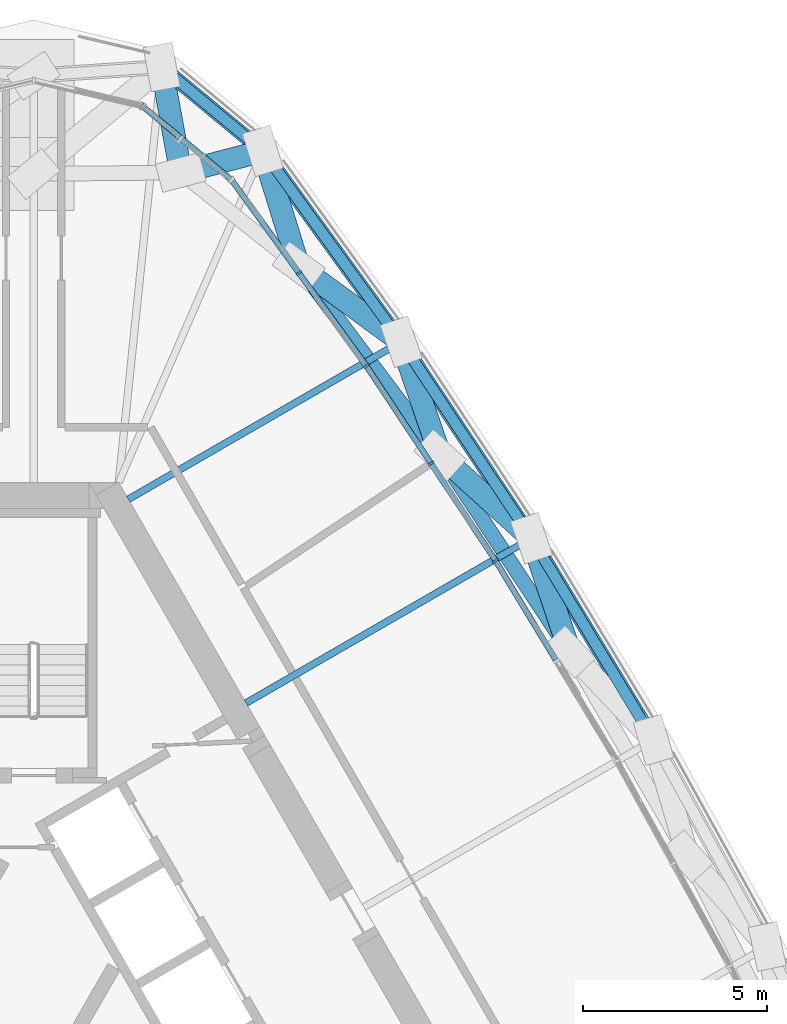
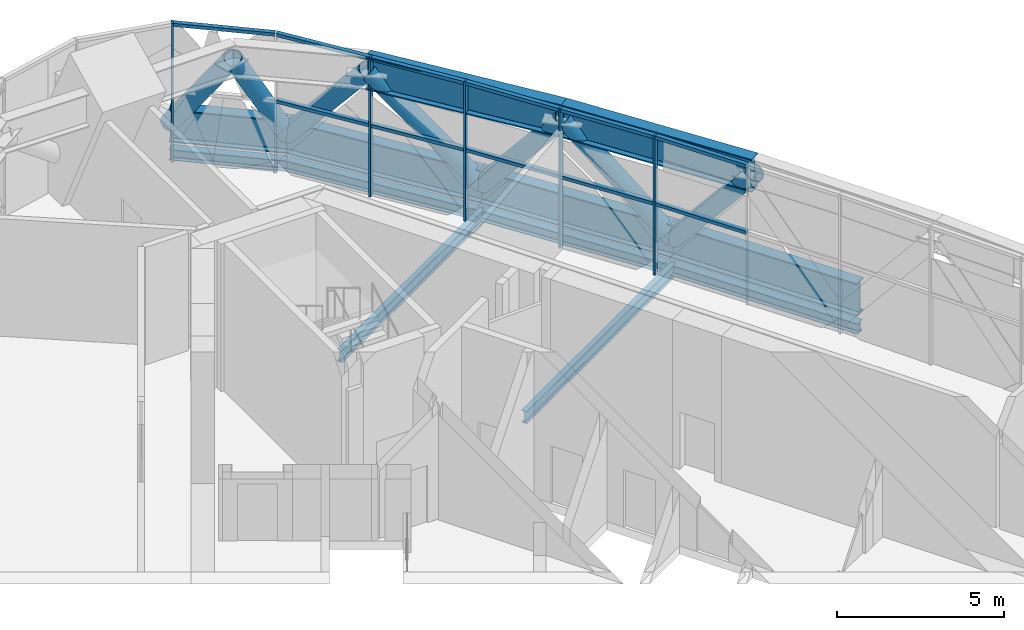
# One storey, part 8 of 33: 29 members, 6 beams, 2 elements without a shape of their own.
"""IFC4 building model written with IfcOpenShell, lengths in metres."""

from ifc_helpers import new_model, si_unit, direction, frame, origin, origin_2d, place, context, subcontext, project, spatial, rectangle, hollow_circle, i_section, extrude, material, material_profile, profile_set, type_object, element, aggregate, save


model = new_model("IFC4")

# Units and contexts
model_context = context("Model", 3, precision=1e-05, world=origin(), true_north=direction((0.0, 1.0)))
body_context = subcontext(model_context, "Body", "Model", "MODEL_VIEW")
ifc_project = project(units=[si_unit("LENGTHUNIT", "METRE"), si_unit("AREAUNIT", "SQUARE_METRE"), si_unit("VOLUMEUNIT", "CUBIC_METRE"), si_unit("PLANEANGLEUNIT", "RADIAN"), si_unit("MASSUNIT", "GRAM", prefix="KILO")], contexts=[model_context])

# Site, building, storey
site_placement = place(None, origin())
site = spatial("IfcSite", under=ifc_project, at=site_placement, CompositionType="ELEMENT")
building_placement = place(site_placement, origin())
building = spatial("IfcBuilding", under=site, at=building_placement, Name="Mestral Congress Tower", CompositionType="ELEMENT")
storey_placement = place(building_placement, frame((0.0, 0.0, 256.199951171875)))
storey = spatial("IfcBuildingStorey", under=building, at=storey_placement, Name="L60", CompositionType="ELEMENT", Elevation=256.199951171875)

# Members
ifc_material_1 = material(Name="Steel S355", Category="steel")
ifc_material_profile_1 = material_profile(ifc_material_1, i_section(OverallWidth=0.39990234375, OverallDepth=1.199951171875, WebThickness=0.02001953125, FlangeThickness=0.0400390625, FilletRadius=0.010009765625, at=origin_2d()), Name="WPG 1200")
ifc_profile_set_1 = profile_set([ifc_material_profile_1], Name="Steel S355")
member_type_1 = type_object("IfcMemberType", Name="Belt chord WPG 1200 S355", PredefinedType="CHORD", material=ifc_profile_set_1)
member_1_placement = place(storey_placement, frame((16.827392578125, 9.71533203125, 0.60009765625), z_axis=(-0.517874683363, 0.855456493535, 0.0), x_axis=(-0.855456493535, -0.517874683363, 0.0)))
element("IfcMember", 1, at=member_1_placement, inside=storey, type_object=member_type_1, Name="MB-L60-BC4-E03", PredefinedType="CHORD", context=body_context, shape_type="SweptSolid", body=[
    extrude(i_section(OverallWidth=0.39990234375, OverallDepth=1.199951171875, WebThickness=0.02001953125, FlangeThickness=0.0400390625, FilletRadius=0.010009765625, at=origin_2d()), origin(), (0.0, 0.0, 1.0), 6.399658203125),
])
for number, where, z_axis, x_axis, name in (
    (2, (13.51318359375, 15.18994140625, 0.60009765625), (-0.552911723663, 0.833239836923, 0.0), (-0.833239836923, -0.552911723663, 0.0), "MB-L60-BC4-E04"),
    (3, (9.974853515625, 20.522216796875, 0.60009765625), (-0.58698695142, 0.80959639257, 0.0), (-0.80959639257, -0.58698695142, 0.0), "MB-L60-BC4-E05"),
):
    element("IfcMember", number, at=place(storey_placement, frame(where, z_axis=z_axis, x_axis=x_axis)), inside=storey, type_object=member_type_1, Name=name, PredefinedType="CHORD", context=body_context, shape_type="SweptSolid", body=[
        extrude(i_section(OverallWidth=0.39990234375, OverallDepth=1.199951171875, WebThickness=0.02001953125, FlangeThickness=0.0400390625, FilletRadius=0.010009765625, at=origin_2d()), origin(), (0.0, 0.0, 1.0), 6.3994140625),
    ])
member_2_placement = place(storey_placement, frame((6.218505859375, 25.703125, 0.60009765625), z_axis=(-0.769974479924, 0.638074682358, 0.0), x_axis=(-0.638074682358, -0.769974479924, 0.0)))
element("IfcMember", 4, at=member_2_placement, inside=storey, type_object=member_type_1, Name="MB-L60-BC4-E06", PredefinedType="CHORD", context=body_context, shape_type="SweptSolid", body=[
    extrude(i_section(OverallWidth=0.39990234375, OverallDepth=1.199951171875, WebThickness=0.02001953125, FlangeThickness=0.0400390625, FilletRadius=0.010009765625, at=origin_2d()), origin(), (0.0, 0.0, 1.0), 3.56689453125),
])
for number, where, z_axis, x_axis, name in (
    (5, (14.55615234375, 12.098388671875, 4.5), (-0.550723144035, 0.834687976806, 0.0), (-0.834687976806, -0.550723144035, 0.0), "MB-L60-TC4-E03"),
    (6, (11.031982421875, 17.439697265625, 4.5), (-0.599566499574, 0.800324941876, 0.0), (-0.800324941876, -0.599566499574, 0.0), "MB-L60-TC4-E04"),
):
    element("IfcMember", number, at=place(storey_placement, frame(where, z_axis=z_axis, x_axis=x_axis)), inside=storey, type_object=member_type_1, Name=name, PredefinedType="CHORD", context=body_context, shape_type="SweptSolid", body=[
        extrude(i_section(OverallWidth=0.39990234375, OverallDepth=1.199951171875, WebThickness=0.02001953125, FlangeThickness=0.0400390625, FilletRadius=0.010009765625, at=origin_2d()), origin(), (0.0, 0.0, 1.0), 6.399169921875),
    ])
ifc_material_profile_2 = material_profile(ifc_material_1, hollow_circle(Radius=0.304931640625, WallThickness=0.02490234375, at=origin_2d()), Name="CHS 610x25")
ifc_profile_set_2 = profile_set([ifc_material_profile_2], Name="Steel S355")
member_type_2 = type_object("IfcMemberType", Name="Belt diagonal CHS 610x25 S355", PredefinedType="BRACE", material=ifc_profile_set_2)
member_3_placement = place(storey_placement, frame((13.51318359375, 15.18994140625, 0.60009765625), z_axis=(0.205116866424, -0.608004419365, 0.766979593693), x_axis=(0.947532230317, 0.319660245433, 0.0)))
element("IfcMember", 7, at=member_3_placement, inside=storey, type_object=member_type_2, Name="MD-L60-BD4-E04.E03", PredefinedType="BRACE", context=body_context, shape_type="SweptSolid", body=[
    extrude(hollow_circle(Radius=0.304931640625, WallThickness=0.02490234375, at=origin_2d()), origin(), (0.0, 0.0, 1.0), 5.084716796875),
])
member_4_placement = place(storey_placement, frame((13.51318359375, 15.18994140625, 0.60009765625), z_axis=(-0.482656382674, 0.437634415659, 0.75862964251), x_axis=(-0.671710761631, -0.740813507375, 0.0)))
element("IfcMember", 8, at=member_4_placement, inside=storey, type_object=member_type_2, Name="MD-L60-BD4-E04.E04", PredefinedType="BRACE", context=body_context, shape_type="SweptSolid", body=[
    extrude(hollow_circle(Radius=0.304931640625, WallThickness=0.02490234375, at=origin_2d()), origin(), (0.0, 0.0, 1.0), 5.140625),
])
member_5_placement = place(storey_placement, frame((9.974853515625, 20.522216796875, 0.60009765625), z_axis=(0.208006443312, -0.606533337935, 0.767366033595), x_axis=(0.945920988554, 0.324397107591, 0.0)))
element("IfcMember", 9, at=member_5_placement, inside=storey, type_object=member_type_2, Name="MD-L60-BD4-E05.E04", PredefinedType="BRACE", context=body_context, shape_type="SweptSolid", body=[
    extrude(hollow_circle(Radius=0.304931640625, WallThickness=0.02490234375, at=origin_2d()), origin(), (0.0, 0.0, 1.0), 5.082275390625),
])
member_6_placement = place(storey_placement, frame((9.974853515625, 20.522216796875, 0.60009765625), z_axis=(-0.534015202386, 0.391704958728, 0.749262963804), x_axis=(-0.591455772617, -0.806337441174, 0.0)))
element("IfcMember", 10, at=member_6_placement, inside=storey, type_object=member_type_2, Name="MD-L60-BD4-E05.E05", PredefinedType="BRACE", context=body_context, shape_type="SweptSolid", body=[
    extrude(hollow_circle(Radius=0.304931640625, WallThickness=0.02490234375, at=origin_2d()), origin(), (0.0, 0.0, 1.0), 5.205078125),
])
member_7_placement = place(storey_placement, frame((6.218505859375, 25.703125, 0.60009765625), z_axis=(0.191434622879, -0.615786952376, 0.764303090696), x_axis=(0.954919894336, 0.296863597299, 0.0)))
element("IfcMember", 11, at=member_7_placement, inside=storey, type_object=member_type_2, Name="MD-L60-BD4-E06.E05", PredefinedType="BRACE", context=body_context, shape_type="SweptSolid", body=[
    extrude(hollow_circle(Radius=0.304931640625, WallThickness=0.02490234375, at=origin_2d()), origin(), (0.0, 0.0, 1.0), 5.1025390625),
])
member_8_placement = place(storey_placement, frame((6.218505859375, 25.703125, 0.60009765625), z_axis=(-0.491384742681, -0.129612565438, 0.861244226419), x_axis=(0.255046808528, -0.966928707537, 0.0)))
element("IfcMember", 12, at=member_8_placement, inside=storey, type_object=member_type_2, Name="MD-L60-BD4-E06.N1", PredefinedType="BRACE", context=body_context, shape_type="SweptSolid", body=[
    extrude(hollow_circle(Radius=0.304931640625, WallThickness=0.02490234375, at=origin_2d()), origin(), (0.0, 0.0, 1.0), 4.5283203125),
])
member_9_placement = place(storey_placement, frame((3.47216796875, 27.97900390625, 0.60009765625), z_axis=(0.107122095193, -0.588343647882, 0.801484004031), x_axis=(0.983825580092, 0.179129081826, 0.0)))
element("IfcMember", 13, at=member_9_placement, inside=storey, type_object=member_type_2, Name="MD-L60-BD4-N1.N1", PredefinedType="BRACE", context=body_context, shape_type="SweptSolid", body=[
    extrude(hollow_circle(Radius=0.304931640625, WallThickness=0.02490234375, at=origin_2d()), origin(), (0.0, 0.0, 1.0), 4.865966796875),
])

# Curtain wall, members
ifc_material_2 = material(Name="Clear low-emissivity double glazing", Category="glass")
curtain_wall_type = type_object("IfcCurtainWallType", Name="Facade refuge band screen", PredefinedType="USERDEFINED", material=ifc_material_2)
placement = place(storey_placement, origin())
curtain_wall_1 = element("IfcCurtainWall", 14, at=placement, inside=storey, type_object=curtain_wall_type, Name="Facade refuge band screen face 2", ObjectType="CURTAIN WALL", PredefinedType="USERDEFINED")
ifc_material_3 = material(Name="Anodised aluminium", Category="aluminium")
ifc_material_profile_3 = material_profile(ifc_material_3, rectangle(XDim=0.179931640625, YDim=0.06005859375, at=origin_2d()), Name="CW3 mullion 180 x 60")
ifc_profile_set_3 = profile_set([ifc_material_profile_3], Name="Anodised aluminium")
member_type_3 = type_object("IfcMemberType", Name="Facade refuge band screen mullion", PredefinedType="MULLION", material=ifc_profile_set_3)
member_10_placement = place(storey_placement, frame((12.5419921875, 14.573974609375, 0.0), z_axis=(0.0, 0.0, 1.0), x_axis=(0.844533605975, 0.535502556837, 0.0)))
member_10 = element("IfcMember", 15, at=member_10_placement, type_object=member_type_3, Name="Facade refuge band screen mullion", PredefinedType="MULLION", context=body_context, shape_type="SweptSolid", body=[
    extrude(rectangle(XDim=0.179931640625, YDim=0.06005859375, at=origin_2d()), origin(), (0.0, 0.0, 1.0), 5.10009765625),
])
member_11_placement = place(storey_placement, frame((10.785888671875, 17.22021484375, 0.0), z_axis=(0.0, 0.0, 1.0), x_axis=(0.833238868178, 0.552913183563, 0.0)))
member_11 = element("IfcMember", 16, at=member_11_placement, type_object=member_type_3, Name="Facade refuge band screen mullion", PredefinedType="MULLION", context=body_context, shape_type="SweptSolid", body=[
    extrude(rectangle(XDim=0.179931640625, YDim=0.06005859375, at=origin_2d()), origin(), (0.0, 0.0, 1.0), 5.10009765625),
])
member_12_placement = place(storey_placement, frame((9.02978515625, 19.866455078125, 0.0), z_axis=(0.0, 0.0, 1.0), x_axis=(0.821586248532, 0.570084236076, 0.0)))
member_12 = element("IfcMember", 17, at=member_12_placement, type_object=member_type_3, Name="Facade refuge band screen mullion", PredefinedType="MULLION", context=body_context, shape_type="SweptSolid", body=[
    extrude(rectangle(XDim=0.179931640625, YDim=0.06005859375, at=origin_2d()), origin(), (0.0, 0.0, 1.0), 5.10009765625),
])
member_13_placement = place(storey_placement, frame((7.201416015625, 22.388427734375, 0.0), z_axis=(0.0, 0.0, 1.0), x_axis=(0.80957983036, 0.587009794019, 0.0)))
member_13 = element("IfcMember", 18, at=member_13_placement, type_object=member_type_3, Name="Facade refuge band screen mullion", PredefinedType="MULLION", context=body_context, shape_type="SweptSolid", body=[
    extrude(rectangle(XDim=0.179931640625, YDim=0.06005859375, at=origin_2d()), origin(), (0.0, 0.0, 1.0), 5.10009765625),
])

# Curtain wall, member
curtain_wall_2 = element("IfcCurtainWall", 19, at=placement, inside=storey, type_object=curtain_wall_type, Name="Facade refuge band screen corner 2", ObjectType="CURTAIN WALL", PredefinedType="USERDEFINED")
member_14_placement = place(storey_placement, frame((2.9462890625, 26.921142578125, 0.0), z_axis=(0.0, 0.0, 1.0), x_axis=(0.445149435481, 0.895456297142, 0.0)))
member_14 = element("IfcMember", 20, at=member_14_placement, type_object=member_type_3, Name="Facade refuge band screen mullion", PredefinedType="MULLION", context=body_context, shape_type="SweptSolid", body=[
    extrude(rectangle(XDim=0.179931640625, YDim=0.06005859375, at=origin_2d()), origin(), (0.0, 0.0, 1.0), 5.10009765625),
])

# Member
ifc_material_profile_4 = material_profile(ifc_material_3, rectangle(XDim=0.14990234375, YDim=0.1201171875, at=origin_2d()), Name="CW3 transom 150 x 120")
ifc_profile_set_4 = profile_set([ifc_material_profile_4], Name="Anodised aluminium")
member_type_4 = type_object("IfcMemberType", Name="Facade refuge band screen transom", PredefinedType="USERDEFINED", material=ifc_profile_set_4)
member_15_placement = place(storey_placement, frame((14.171142578125, 11.8828125, 2.60009765625), z_axis=(-0.517902273022, 0.85543979075, 0.0), x_axis=(-0.85543979075, -0.517902273022, 0.0)))
member_15 = element("IfcMember", 21, at=member_15_placement, type_object=member_type_4, Name="Facade refuge band screen transom", ObjectType="TRANSOM", PredefinedType="USERDEFINED", context=body_context, shape_type="SweptSolid", body=[
    extrude(rectangle(XDim=0.14990234375, YDim=0.1201171875, at=origin_2d()), origin(), (0.0, 0.0, 1.0), 3.115966796875),
])

member_16_placement = place(storey_placement, frame((14.171142578125, 11.8828125, 5.0400390625), z_axis=(-0.517902273022, 0.85543979075, 0.0), x_axis=(-0.85543979075, -0.517902273022, 0.0)))
member_16 = element("IfcMember", 22, at=member_16_placement, type_object=member_type_4, Name="Facade refuge band screen transom", ObjectType="TRANSOM", PredefinedType="USERDEFINED", context=body_context, shape_type="SweptSolid", body=[
    extrude(rectangle(XDim=0.14990234375, YDim=0.1201171875, at=origin_2d()), origin(), (0.0, 0.0, 1.0), 3.115966796875),
])

member_17_placement = place(storey_placement, frame((12.525390625, 14.598876953125, 2.60009765625), z_axis=(-0.552908939188, 0.833241684606, 0.0), x_axis=(-0.833241684606, -0.552908939188, 0.0)))
member_17 = element("IfcMember", 23, at=member_17_placement, type_object=member_type_4, Name="Facade refuge band screen transom", ObjectType="TRANSOM", PredefinedType="USERDEFINED", context=body_context, shape_type="SweptSolid", body=[
    extrude(rectangle(XDim=0.14990234375, YDim=0.1201171875, at=origin_2d()), origin(), (0.0, 0.0, 1.0), 3.115966796875),
])

member_18_placement = place(storey_placement, frame((12.525390625, 14.598876953125, 5.0400390625), z_axis=(-0.552908939188, 0.833241684606, 0.0), x_axis=(-0.833241684606, -0.552908939188, 0.0)))
member_18 = element("IfcMember", 24, at=member_18_placement, type_object=member_type_4, Name="Facade refuge band screen transom", ObjectType="TRANSOM", PredefinedType="USERDEFINED", context=body_context, shape_type="SweptSolid", body=[
    extrude(rectangle(XDim=0.14990234375, YDim=0.1201171875, at=origin_2d()), origin(), (0.0, 0.0, 1.0), 3.115966796875),
])

member_19_placement = place(storey_placement, frame((10.769287109375, 17.2451171875, 2.60009765625), z_axis=(-0.552908939188, 0.833241684606, 0.0), x_axis=(-0.833241684606, -0.552908939188, 0.0)))
member_19 = element("IfcMember", 25, at=member_19_placement, type_object=member_type_4, Name="Facade refuge band screen transom", ObjectType="TRANSOM", PredefinedType="USERDEFINED", context=body_context, shape_type="SweptSolid", body=[
    extrude(rectangle(XDim=0.14990234375, YDim=0.1201171875, at=origin_2d()), origin(), (0.0, 0.0, 1.0), 3.115966796875),
])

member_20_placement = place(storey_placement, frame((10.769287109375, 17.2451171875, 5.0400390625), z_axis=(-0.552908939188, 0.833241684606, 0.0), x_axis=(-0.833241684606, -0.552908939188, 0.0)))
member_20 = element("IfcMember", 26, at=member_20_placement, type_object=member_type_4, Name="Facade refuge band screen transom", ObjectType="TRANSOM", PredefinedType="USERDEFINED", context=body_context, shape_type="SweptSolid", body=[
    extrude(rectangle(XDim=0.14990234375, YDim=0.1201171875, at=origin_2d()), origin(), (0.0, 0.0, 1.0), 3.115966796875),
])

member_21_placement = place(storey_placement, frame((9.01220703125, 19.890869140625, 2.60009765625), z_axis=(-0.58696888099, 0.809609493984, 0.0), x_axis=(-0.809609493984, -0.58696888099, 0.0)))
member_21 = element("IfcMember", 27, at=member_21_placement, type_object=member_type_4, Name="Facade refuge band screen transom", ObjectType="TRANSOM", PredefinedType="USERDEFINED", context=body_context, shape_type="SweptSolid", body=[
    extrude(rectangle(XDim=0.14990234375, YDim=0.1201171875, at=origin_2d()), origin(), (0.0, 0.0, 1.0), 3.054931640625),
])

member_22_placement = place(storey_placement, frame((9.01220703125, 19.890869140625, 5.0400390625), z_axis=(-0.58696888099, 0.809609493984, 0.0), x_axis=(-0.809609493984, -0.58696888099, 0.0)))
member_22 = element("IfcMember", 28, at=member_22_placement, type_object=member_type_4, Name="Facade refuge band screen transom", ObjectType="TRANSOM", PredefinedType="USERDEFINED", context=body_context, shape_type="SweptSolid", body=[
    extrude(rectangle(XDim=0.14990234375, YDim=0.1201171875, at=origin_2d()), origin(), (0.0, 0.0, 1.0), 3.054931640625),
])

member_23_placement = place(storey_placement, frame((7.18359375, 22.412841796875, 2.60009765625), z_axis=(-0.58696888099, 0.809609493984, 0.0), x_axis=(-0.809609493984, -0.58696888099, 0.0)))
member_23 = element("IfcMember", 29, at=member_23_placement, type_object=member_type_4, Name="Facade refuge band screen transom", ObjectType="TRANSOM", PredefinedType="USERDEFINED", context=body_context, shape_type="SweptSolid", body=[
    extrude(rectangle(XDim=0.14990234375, YDim=0.1201171875, at=origin_2d()), origin(), (0.0, 0.0, 1.0), 3.054931640625),
])

member_24_placement = place(storey_placement, frame((7.18359375, 22.412841796875, 5.0400390625), z_axis=(-0.58696888099, 0.809609493984, 0.0), x_axis=(-0.809609493984, -0.58696888099, 0.0)))
member_24 = element("IfcMember", 30, at=member_24_placement, type_object=member_type_4, Name="Facade refuge band screen transom", ObjectType="TRANSOM", PredefinedType="USERDEFINED", context=body_context, shape_type="SweptSolid", body=[
    extrude(rectangle(XDim=0.14990234375, YDim=0.1201171875, at=origin_2d()), origin(), (0.0, 0.0, 1.0), 3.054931640625),
])

aggregate(curtain_wall_1, [member_10, member_11, member_12, member_13, member_15, member_16, member_17, member_18, member_19, member_20, member_21, member_22, member_23, member_24])

member_25_placement = place(storey_placement, frame((5.349609375, 24.9296875, 5.0400390625), z_axis=(-0.769972779344, 0.638076734467, 0.0), x_axis=(-0.638076734467, -0.769972779344, 0.0)))
member_25 = element("IfcMember", 31, at=member_25_placement, type_object=member_type_4, Name="Facade refuge band screen transom", ObjectType="TRANSOM", PredefinedType="USERDEFINED", context=body_context, shape_type="SweptSolid", body=[
    extrude(rectangle(XDim=0.14990234375, YDim=0.1201171875, at=origin_2d()), origin(), (0.0, 0.0, 1.0), 3.091064453125),
])

aggregate(curtain_wall_2, [member_14, member_25])

# Beams
ifc_material_profile_5 = material_profile(ifc_material_1, i_section(OverallWidth=0.18994140625, OverallDepth=0.449951171875, WebThickness=0.009521484375, FlangeThickness=0.0146484375, FilletRadius=0.02099609375, at=origin_2d()), Name="IPE 450")
ifc_profile_set_5 = profile_set([ifc_material_profile_5], Name="Steel S355")
beam_type_1 = type_object("IfcBeamType", Name="Floor beam IPE 450 S355", PredefinedType="BEAM", material=ifc_profile_set_5)
beam_1_placement = place(storey_placement, frame((13.51318359375, 15.18994140625, -0.52490234375), z_axis=(-0.866026556242, -0.49999800388, 0.0), x_axis=(0.49999800388, -0.866026556242, 0.0)))
element("IfcBeam", 32, at=beam_1_placement, inside=storey, type_object=beam_type_1, Name="BM-L60-RB4-E04", PredefinedType="BEAM", context=body_context, shape_type="SweptSolid", body=[
    extrude(i_section(OverallWidth=0.18994140625, OverallDepth=0.449951171875, WebThickness=0.009521484375, FlangeThickness=0.0146484375, FilletRadius=0.02099609375, at=origin_2d()), origin(), (0.0, 0.0, 1.0), 8.94775390625),
])
beam_2_placement = place(storey_placement, frame((9.974853515625, 20.522216796875, -0.52490234375), z_axis=(-0.866016768042, -0.500014957246, 0.0), x_axis=(0.500014957246, -0.866016768042, 0.0)))
element("IfcBeam", 33, at=beam_2_placement, inside=storey, type_object=beam_type_1, Name="BM-L60-RB4-E05", PredefinedType="BEAM", context=body_context, shape_type="SweptSolid", body=[
    extrude(i_section(OverallWidth=0.18994140625, OverallDepth=0.449951171875, WebThickness=0.009521484375, FlangeThickness=0.0146484375, FilletRadius=0.02099609375, at=origin_2d()), origin(), (0.0, 0.0, 1.0), 8.549560546875),
])
ifc_material_profile_6 = material_profile(ifc_material_1, i_section(OverallWidth=0.300048828125, OverallDepth=0.389892578125, WebThickness=0.010986328125, FlangeThickness=0.01904296875, FilletRadius=0.027099609375, at=origin_2d()), Name="HEA 400")
ifc_profile_set_6 = profile_set([ifc_material_profile_6], Name="Steel S355")
beam_type_2 = type_object("IfcBeamType", Name="Spandrel beam HEA 400 S355", PredefinedType="BEAM", material=ifc_profile_set_6)
beam_3_placement = place(storey_placement, frame((16.827392578125, 9.71533203125, -0.494873046875), z_axis=(-0.517874683363, 0.855456493535, 0.0), x_axis=(-0.855456493535, -0.517874683363, 0.0)))
element("IfcBeam", 34, at=beam_3_placement, inside=storey, type_object=beam_type_2, Name="SP-L60-SB4-E03", PredefinedType="BEAM", context=body_context, shape_type="SweptSolid", body=[
    extrude(i_section(OverallWidth=0.300048828125, OverallDepth=0.389892578125, WebThickness=0.010986328125, FlangeThickness=0.01904296875, FilletRadius=0.027099609375, at=origin_2d()), origin(), (0.0, 0.0, 1.0), 6.399658203125),
])
for number, where, z_axis, x_axis, name in (
    (35, (13.51318359375, 15.18994140625, -0.494873046875), (-0.552911723663, 0.833239836923, 0.0), (-0.833239836923, -0.552911723663, 0.0), "SP-L60-SB4-E04"),
    (36, (9.974853515625, 20.522216796875, -0.494873046875), (-0.58698695142, 0.80959639257, 0.0), (-0.80959639257, -0.58698695142, 0.0), "SP-L60-SB4-E05"),
):
    element("IfcBeam", number, at=place(storey_placement, frame(where, z_axis=z_axis, x_axis=x_axis)), inside=storey, type_object=beam_type_2, Name=name, PredefinedType="BEAM", context=body_context, shape_type="SweptSolid", body=[
        extrude(i_section(OverallWidth=0.300048828125, OverallDepth=0.389892578125, WebThickness=0.010986328125, FlangeThickness=0.01904296875, FilletRadius=0.027099609375, at=origin_2d()), origin(), (0.0, 0.0, 1.0), 6.3994140625),
    ])
beam_4_placement = place(storey_placement, frame((6.218505859375, 25.703125, -0.494873046875), z_axis=(-0.769974479924, 0.638074682358, 0.0), x_axis=(-0.638074682358, -0.769974479924, 0.0)))
element("IfcBeam", 37, at=beam_4_placement, inside=storey, type_object=beam_type_2, Name="SP-L60-SB4-E06", PredefinedType="BEAM", context=body_context, shape_type="SweptSolid", body=[
    extrude(i_section(OverallWidth=0.300048828125, OverallDepth=0.389892578125, WebThickness=0.010986328125, FlangeThickness=0.01904296875, FilletRadius=0.027099609375, at=origin_2d()), origin(), (0.0, 0.0, 1.0), 3.56689453125),
])

save(model, "model.ifc")
